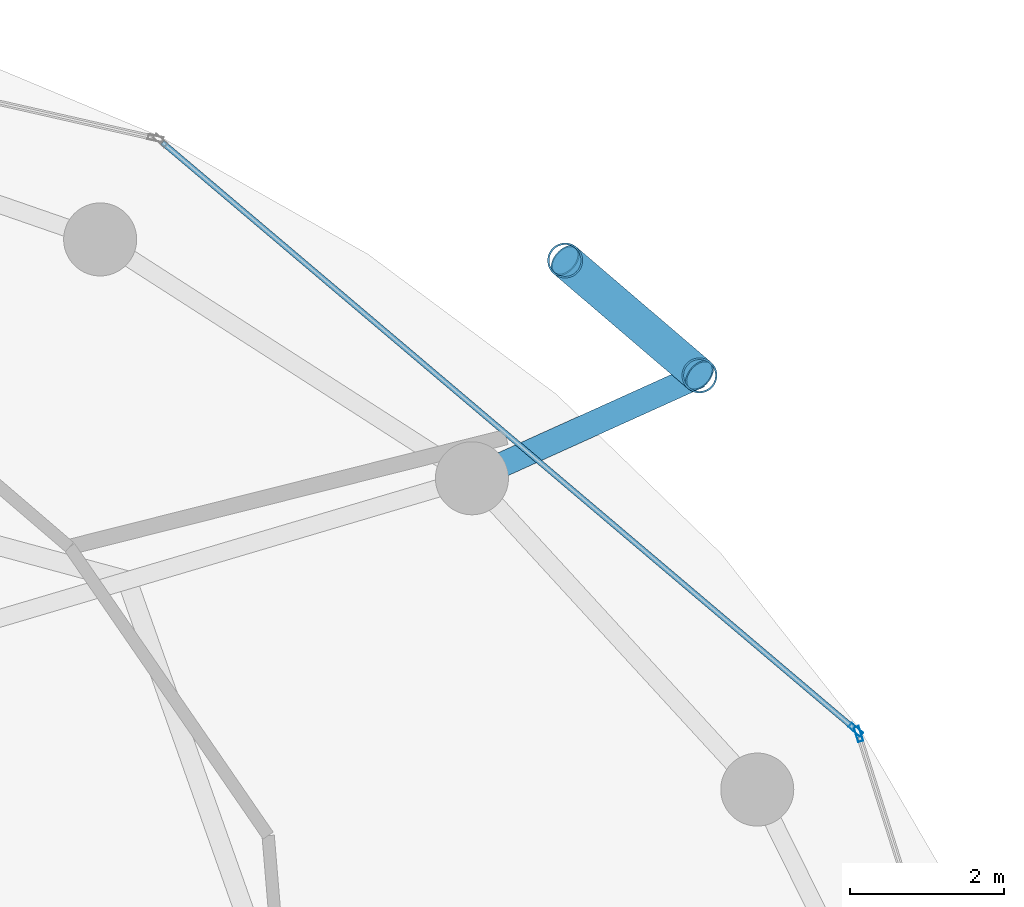
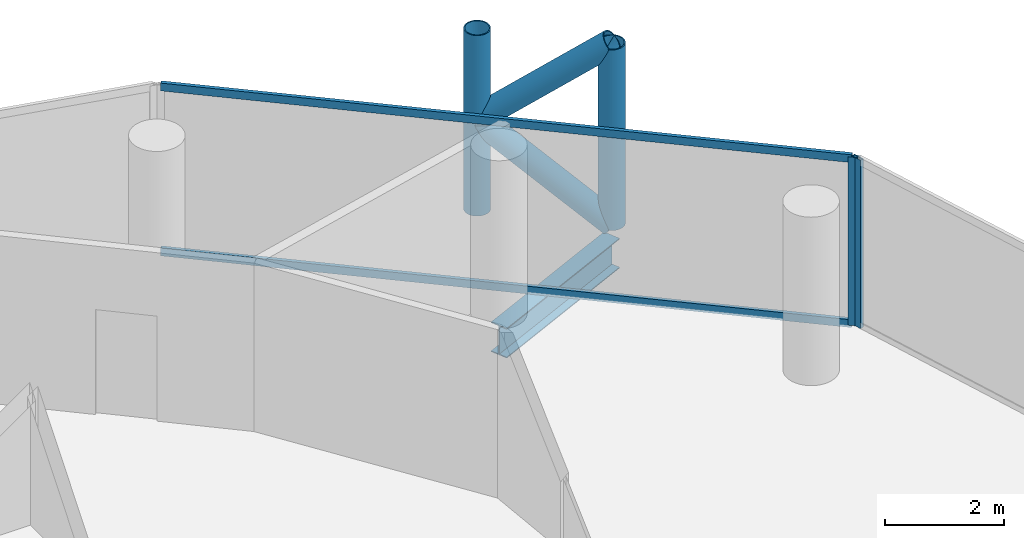
# One storey, part 19 of 26: 8 members, 1 beam, 2 elements without a shape of their own.
"""IFC4 building model written with IfcOpenShell, lengths in metres."""

from ifc_helpers import new_model, si_unit, direction, frame, origin, origin_2d, place, context, subcontext, project, spatial, hollow_rectangle, hollow_circle, i_section, extrude, material, layer, layer_set, material_profile, profile_set, type_object, element, aggregate, save


model = new_model("IFC4")

# Units and contexts
model_context = context("Model", 3, precision=1e-05, world=origin(), true_north=direction((0.0, 1.0)))
body_context = subcontext(model_context, "Body", "Model", "MODEL_VIEW")
ifc_project = project(units=[si_unit("LENGTHUNIT", "METRE"), si_unit("AREAUNIT", "SQUARE_METRE"), si_unit("VOLUMEUNIT", "CUBIC_METRE"), si_unit("PLANEANGLEUNIT", "RADIAN"), si_unit("MASSUNIT", "GRAM", prefix="KILO")], contexts=[model_context])

# Site, building, storey
site_placement = place(None, origin())
site = spatial("IfcSite", under=ifc_project, at=site_placement, CompositionType="ELEMENT")
building_placement = place(site_placement, origin())
building = spatial("IfcBuilding", under=site, at=building_placement, Name="Nuhasar Tower", CompositionType="ELEMENT")
storey_placement = place(building_placement, frame((0.0, 0.0, 173.75)))
storey = spatial("IfcBuildingStorey", under=building, at=storey_placement, Name="L42", CompositionType="ELEMENT", Elevation=173.75)

# Beam
ifc_material_1 = material(Name="Steel S355", Category="steel")
ifc_material_profile_1 = material_profile(ifc_material_1, i_section(OverallWidth=0.323974609375, OverallDepth=0.611083984375, WebThickness=0.0126953125, FlangeThickness=0.01904296875, at=origin_2d()), Name="W24X104")
ifc_profile_set_1 = profile_set([ifc_material_profile_1], Name="Steel S355")
beam_type = type_object("IfcBeamType", Name="BM-TIE-W24X104", PredefinedType="BEAM", material=ifc_profile_set_1)
beam_placement = place(storey_placement, frame((55.510986328125, 40.6240234375, -0.554931640625), z_axis=(0.911239591969, 0.411876687891, 0.0), x_axis=(-0.411876687891, 0.911239591969, 0.0)))
element("IfcBeam", 1, at=beam_placement, inside=storey, type_object=beam_type, Name="L42 Exoskeleton Node Tie Beam 02", PredefinedType="BEAM", context=body_context, shape_type="SweptSolid", body=[
    extrude(i_section(OverallWidth=0.323974609375, OverallDepth=0.611083984375, WebThickness=0.0126953125, FlangeThickness=0.01904296875, at=origin_2d()), origin(), (0.0, 0.0, 1.0), 3.248291015625),
])

# Curtain wall, member
ifc_material_2 = material(Name="Aluminium 6063-T6", Category="aluminium")
ifc_layer = layer(ifc_material_2, 0.199951171875)
ifc_layer_set = layer_set([ifc_layer], Name="Aluminium 6063-T6")
curtain_wall_type = type_object("IfcCurtainWallType", Name="CW-Z2-HTL", PredefinedType="NOTDEFINED", material=ifc_layer_set)
curtain_wall_1_placement = place(storey_placement, origin())
curtain_wall_1 = element("IfcCurtainWall", 2, at=curtain_wall_1_placement, inside=storey, type_object=curtain_wall_type, Name="L42 Unitised Curtain Wall 01", PredefinedType="NOTDEFINED")
ifc_material_profile_2 = material_profile(ifc_material_2, hollow_rectangle(XDim=0.070068359375, YDim=0.199951171875, WallThickness=0.0048828125, at=origin_2d()), Name="CWM-3")
ifc_profile_set_2 = profile_set([ifc_material_profile_2], Name="Aluminium 6063-T6")
member_type_1 = type_object("IfcMemberType", Name="CW-MUL-S3", PredefinedType="MULLION", material=ifc_profile_set_2)
member_1_placement = place(storey_placement, frame((60.53955078125, 37.296630859375, 0.0), z_axis=(0.0, 0.0, 1.0), x_axis=(-0.953433389233, -0.301603667577, 0.0)))
member_1 = element("IfcMember", 3, at=member_1_placement, type_object=member_type_1, Name="CW-Z2 mullion 2", PredefinedType="MULLION", context=body_context, shape_type="SweptSolid", body=[
    extrude(hollow_rectangle(XDim=0.070068359375, YDim=0.199951171875, WallThickness=0.0048828125, at=origin_2d()), origin(), (0.0, 0.0, 1.0), 3.449951171875),
])
aggregate(curtain_wall_1, [member_1])

# Curtain wall, members
curtain_wall_2_placement = place(storey_placement, origin())
curtain_wall_2 = element("IfcCurtainWall", 4, at=curtain_wall_2_placement, inside=storey, type_object=curtain_wall_type, Name="L42 Unitised Curtain Wall 02", PredefinedType="NOTDEFINED")
member_2_placement = place(storey_placement, frame((60.502197265625, 37.3525390625, 0.0), z_axis=(0.0, 0.0, 1.0), x_axis=(-0.646374438324, -0.763020370292, 0.0)))
member_2 = element("IfcMember", 5, at=member_2_placement, type_object=member_type_1, Name="CW-Z2 mullion 1", PredefinedType="MULLION", context=body_context, shape_type="SweptSolid", body=[
    extrude(hollow_rectangle(XDim=0.070068359375, YDim=0.199951171875, WallThickness=0.0048828125, at=origin_2d()), origin(), (0.0, 0.0, 1.0), 3.449951171875),
])
ifc_material_profile_3 = material_profile(ifc_material_2, hollow_rectangle(XDim=0.070068359375, YDim=0.159912109375, WallThickness=0.00439453125, at=origin_2d()), Name="CWT-3")
ifc_profile_set_3 = profile_set([ifc_material_profile_3], Name="Aluminium 6063-T6")
member_type_2 = type_object("IfcMemberType", Name="CW-TRN-S3", PredefinedType="USERDEFINED", material=ifc_profile_set_3)
member_3_placement = place(storey_placement, frame((60.4755859375, 37.375244140625, 0.034912109375), z_axis=(-0.763023915269, 0.646370253592, 0.0), x_axis=(-0.646370253592, -0.763023915269, 0.0)))
member_3 = element("IfcMember", 6, at=member_3_placement, type_object=member_type_2, Name="CW-Z2 transom 1.1", ObjectType="TRANSOM", PredefinedType="USERDEFINED", context=body_context, shape_type="SweptSolid", body=[
    extrude(hollow_rectangle(XDim=0.070068359375, YDim=0.159912109375, WallThickness=0.00439453125, at=origin_2d()), origin(), (0.0, 0.0, 1.0), 11.784912109375),
])
member_4_placement = place(storey_placement, frame((60.4755859375, 37.375244140625, 3.4150390625), z_axis=(-0.763023915269, 0.646370253592, 0.0), x_axis=(-0.646370253592, -0.763023915269, 0.0)))
member_4 = element("IfcMember", 7, at=member_4_placement, type_object=member_type_2, Name="CW-Z2 transom 1.2", ObjectType="TRANSOM", PredefinedType="USERDEFINED", context=body_context, shape_type="SweptSolid", body=[
    extrude(hollow_rectangle(XDim=0.070068359375, YDim=0.159912109375, WallThickness=0.00439453125, at=origin_2d()), origin(), (0.0, 0.0, 1.0), 11.784912109375),
])
aggregate(curtain_wall_2, [member_2, member_3, member_4])

# Members
ifc_material_3 = material(Name="Steel S460", Category="steel")
ifc_material_profile_4 = material_profile(ifc_material_3, hollow_circle(Radius=0.228515625, WallThickness=0.022216796875, at=origin_2d()), Name="HSS457X22.2")
ifc_profile_set_4 = profile_set([ifc_material_profile_4], Name="Steel S460")
member_type_3 = type_object("IfcMemberType", Name="EXO-BRONZE-457", PredefinedType="BRACE", material=ifc_profile_set_4)
for number, where, z_axis, x_axis, name in (
    (8, (58.470947265625, 41.9619140625, 0.0), (0.0, 0.0, 1.0), (1.0, 0.0, 0.0), "L42 Exoskeleton Chord Column EC-02A"),
    (9, (56.722900390625, 43.45703125, 0.0), (0.0, 0.0, 1.0), (1.0, 0.0, 0.0), "L42 Exoskeleton Chord Column EC-02B"),
):
    element("IfcMember", number, at=place(storey_placement, frame(where, z_axis=z_axis, x_axis=x_axis)), inside=storey, type_object=member_type_3, Name=name, PredefinedType="BRACE", context=body_context, shape_type="SweptSolid", body=[
        extrude(hollow_circle(Radius=0.228515625, WallThickness=0.022216796875, at=origin_2d()), origin(), (0.0, 0.0, 1.0), 3.699951171875),
    ])
member_5_placement = place(storey_placement, frame((58.470947265625, 41.9619140625, 0.0), z_axis=(-0.592170370358, 0.506487618445, 0.626741210415), x_axis=(-0.649986859795, -0.759945446788, 0.0)))
element("IfcMember", 10, at=member_5_placement, inside=storey, type_object=member_type_3, Name="L42 Bronze Diagrid Brace W1-02", PredefinedType="BRACE", context=body_context, shape_type="SweptSolid", body=[
    extrude(hollow_circle(Radius=0.228515625, WallThickness=0.022216796875, at=origin_2d()), origin(), (0.0, 0.0, 1.0), 2.951904296875),
])
member_6_placement = place(storey_placement, frame((56.722900390625, 43.45703125, 1.85009765625), z_axis=(0.592201065785, -0.506513872468, 0.626690988192), x_axis=(0.649986859795, 0.759945446788, 0.0)))
element("IfcMember", 11, at=member_6_placement, inside=storey, type_object=member_type_3, Name="L42 Bronze Diagrid Brace W2-02", PredefinedType="BRACE", context=body_context, shape_type="SweptSolid", body=[
    extrude(hollow_circle(Radius=0.228515625, WallThickness=0.022216796875, at=origin_2d()), origin(), (0.0, 0.0, 1.0), 2.95166015625),
])

save(model, "model.ifc")
